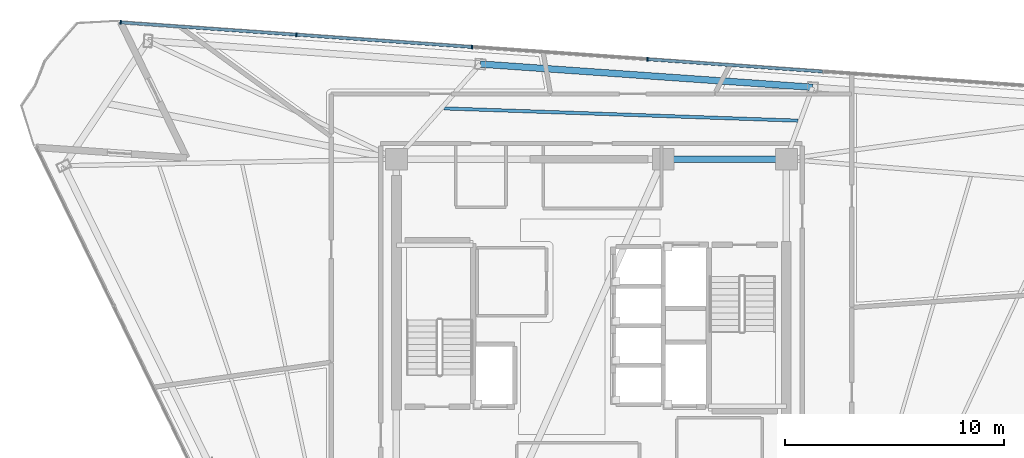
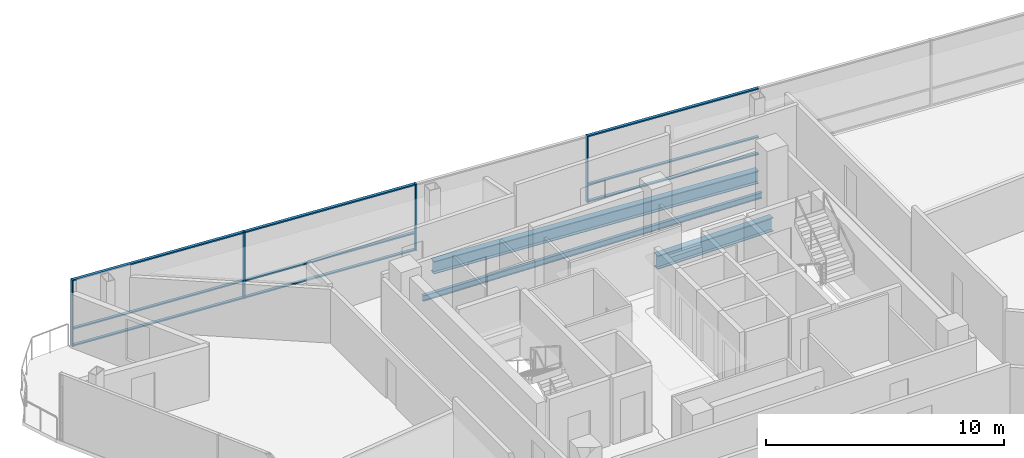
# One storey, part 6 of 14: 13 members, 3 beams, 1 element without a shape of its own.
"""IFC4 building model written with IfcOpenShell, lengths in metres."""

from ifc_helpers import new_model, si_unit, direction, frame, origin, origin_2d, place, context, subcontext, project, spatial, rectangle, i_section, extrude, material, layer, layer_set, material_profile, profile_set, type_object, element, aggregate, save


model = new_model("IFC4")

# Units and contexts
model_context = context("Model", 3, precision=1e-05, world=origin(), true_north=direction((0.0, 1.0)))
body_context = subcontext(model_context, "Body", "Model", "MODEL_VIEW")
ifc_project = project(units=[si_unit("LENGTHUNIT", "METRE"), si_unit("AREAUNIT", "SQUARE_METRE"), si_unit("VOLUMEUNIT", "CUBIC_METRE"), si_unit("PLANEANGLEUNIT", "RADIAN"), si_unit("MASSUNIT", "GRAM", prefix="KILO")], contexts=[model_context])

# Site, building, storey
site_placement = place(None, origin())
site = spatial("IfcSite", under=ifc_project, at=site_placement, CompositionType="ELEMENT")
building_placement = place(site_placement, origin())
building = spatial("IfcBuilding", under=site, at=building_placement, Name="Tharavind Bronze Gate", CompositionType="ELEMENT")
storey_placement = place(building_placement, frame((0.0, 0.0, 245.050048828125)))
storey = spatial("IfcBuildingStorey", under=building, at=storey_placement, Name="L63", CompositionType="ELEMENT", Elevation=245.050048828125)

# Curtain wall, members
ifc_material_1 = material(Name="Anodised Bronze Aluminium", Category="aluminium")
ifc_layer = layer(ifc_material_1, 0.219970703125)
ifc_layer_set = layer_set([ifc_layer], Name="Anodised Bronze Aluminium")
curtain_wall_type = type_object("IfcCurtainWallType", Name="UNITISED CURTAIN WALL UPPER OFFICE", PredefinedType="USERDEFINED", material=ifc_layer_set)
curtain_wall_placement = place(storey_placement, origin())
curtain_wall = element("IfcCurtainWall", 1, at=curtain_wall_placement, inside=storey, type_object=curtain_wall_type, Name="L63 unitised curtain wall upper office CW-L63-S3", ObjectType="UNITISED CURTAIN WALL", PredefinedType="USERDEFINED")
member_type_1 = type_object("IfcMemberType", Name="CURTAIN WALL BRONZE MULLION 65X180", PredefinedType="MULLION", material=ifc_material_1)
member_1_placement = place(storey_placement, frame((2.5654296875, 12.162353515625, 0.0), z_axis=(0.0, 0.0, 1.0), x_axis=(-0.99756392851, 0.069758214822, 0.0)))
member_1 = element("IfcMember", 2, at=member_1_placement, type_object=member_type_1, Name="CW-L63-S3 mullion 4", PredefinedType="MULLION", context=body_context, shape_type="SweptSolid", body=[
    extrude(rectangle(XDim=0.06494140625, YDim=0.179931640625, at=origin_2d()), origin(), (0.0, 0.0, 1.0), 3.419921875),
])
member_2_placement = place(storey_placement, frame((-5.452880859375, 12.72314453125, 0.0), z_axis=(0.0, 0.0, 1.0), x_axis=(-0.99756392851, 0.069758214822, 0.0)))
member_2 = element("IfcMember", 3, at=member_2_placement, type_object=member_type_1, Name="CW-L63-S3 mullion 5", PredefinedType="MULLION", context=body_context, shape_type="SweptSolid", body=[
    extrude(rectangle(XDim=0.06494140625, YDim=0.179931640625, at=origin_2d()), origin(), (0.0, 0.0, 1.0), 3.419921875),
])
member_3_placement = place(storey_placement, frame((-13.471435546875, 13.28369140625, 0.0), z_axis=(0.0, 0.0, 1.0), x_axis=(-0.99756392851, 0.069758214822, 0.0)))
member_3 = element("IfcMember", 4, at=member_3_placement, type_object=member_type_1, Name="CW-L63-S3 mullion 6", PredefinedType="MULLION", context=body_context, shape_type="SweptSolid", body=[
    extrude(rectangle(XDim=0.06494140625, YDim=0.179931640625, at=origin_2d()), origin(), (0.0, 0.0, 1.0), 3.419921875),
])
member_4_placement = place(storey_placement, frame((-21.489990234375, 13.844482421875, 0.0), z_axis=(0.0, 0.0, 1.0), x_axis=(-0.99756392851, 0.069758214822, 0.0)))
member_4 = element("IfcMember", 5, at=member_4_placement, type_object=member_type_1, Name="CW-L63-S3 mullion 7", PredefinedType="MULLION", context=body_context, shape_type="SweptSolid", body=[
    extrude(rectangle(XDim=0.06494140625, YDim=0.179931640625, at=origin_2d()), origin(), (0.0, 0.0, 1.0), 3.419921875),
])
member_type_2 = type_object("IfcMemberType", Name="CURTAIN WALL BRONZE TRANSOM 65X140", PredefinedType="USERDEFINED", material=ifc_material_1)
member_5_placement = place(storey_placement, frame((6.57470703125, 11.882080078125, 0.0), z_axis=(0.0, 0.0, 1.0), x_axis=(-0.99756392851, 0.069758214822, 0.0)))
member_5 = element("IfcMember", 6, at=member_5_placement, type_object=member_type_2, Name="CW-L63-S3 transom TB3", ObjectType="TRANSOM", PredefinedType="USERDEFINED", context=body_context, shape_type="SweptSolid", body=[
    extrude(rectangle(XDim=7.985107421875, YDim=0.139892578125, at=origin_2d()), origin(), (0.0, 0.0, 1.0), 0.06494140625),
])
member_6_placement = place(storey_placement, frame((6.57470703125, 11.882080078125, 0.867431640625), z_axis=(0.0, 0.0, 1.0), x_axis=(-0.99756392851, 0.069758214822, 0.0)))
member_6 = element("IfcMember", 7, at=member_6_placement, type_object=member_type_2, Name="CW-L63-S3 transom TS3", ObjectType="TRANSOM", PredefinedType="USERDEFINED", context=body_context, shape_type="SweptSolid", body=[
    extrude(rectangle(XDim=7.985107421875, YDim=0.139892578125, at=origin_2d()), origin(), (0.0, 0.0, 1.0), 0.06494140625),
])
member_7_placement = place(storey_placement, frame((6.57470703125, 11.882080078125, 3.35498046875), z_axis=(0.0, 0.0, 1.0), x_axis=(-0.99756392851, 0.069758214822, 0.0)))
member_7 = element("IfcMember", 8, at=member_7_placement, type_object=member_type_2, Name="CW-L63-S3 transom TT3", ObjectType="TRANSOM", PredefinedType="USERDEFINED", context=body_context, shape_type="SweptSolid", body=[
    extrude(rectangle(XDim=7.985107421875, YDim=0.139892578125, at=origin_2d()), origin(), (0.0, 0.0, 1.0), 0.06494140625),
])
member_8_placement = place(storey_placement, frame((-9.462158203125, 13.00341796875, 0.0), z_axis=(0.0, 0.0, 1.0), x_axis=(-0.99756392851, 0.069758214822, 0.0)))
member_8 = element("IfcMember", 9, at=member_8_placement, type_object=member_type_2, Name="CW-L63-S3 transom TB5", ObjectType="TRANSOM", PredefinedType="USERDEFINED", context=body_context, shape_type="SweptSolid", body=[
    extrude(rectangle(XDim=7.985107421875, YDim=0.139892578125, at=origin_2d()), origin(), (0.0, 0.0, 1.0), 0.06494140625),
])
member_9_placement = place(storey_placement, frame((-9.462158203125, 13.00341796875, 0.867431640625), z_axis=(0.0, 0.0, 1.0), x_axis=(-0.99756392851, 0.069758214822, 0.0)))
member_9 = element("IfcMember", 10, at=member_9_placement, type_object=member_type_2, Name="CW-L63-S3 transom TS5", ObjectType="TRANSOM", PredefinedType="USERDEFINED", context=body_context, shape_type="SweptSolid", body=[
    extrude(rectangle(XDim=7.985107421875, YDim=0.139892578125, at=origin_2d()), origin(), (0.0, 0.0, 1.0), 0.06494140625),
])
member_10_placement = place(storey_placement, frame((-9.462158203125, 13.00341796875, 3.35498046875), z_axis=(0.0, 0.0, 1.0), x_axis=(-0.99756392851, 0.069758214822, 0.0)))
member_10 = element("IfcMember", 11, at=member_10_placement, type_object=member_type_2, Name="CW-L63-S3 transom TT5", ObjectType="TRANSOM", PredefinedType="USERDEFINED", context=body_context, shape_type="SweptSolid", body=[
    extrude(rectangle(XDim=7.985107421875, YDim=0.139892578125, at=origin_2d()), origin(), (0.0, 0.0, 1.0), 0.06494140625),
])
member_11_placement = place(storey_placement, frame((-17.480712890625, 13.564208984375, 0.0), z_axis=(0.0, 0.0, 1.0), x_axis=(-0.99756392851, 0.069758214822, 0.0)))
member_11 = element("IfcMember", 12, at=member_11_placement, type_object=member_type_2, Name="CW-L63-S3 transom TB6", ObjectType="TRANSOM", PredefinedType="USERDEFINED", context=body_context, shape_type="SweptSolid", body=[
    extrude(rectangle(XDim=7.985107421875, YDim=0.139892578125, at=origin_2d()), origin(), (0.0, 0.0, 1.0), 0.06494140625),
])
member_12_placement = place(storey_placement, frame((-17.480712890625, 13.564208984375, 0.867431640625), z_axis=(0.0, 0.0, 1.0), x_axis=(-0.99756392851, 0.069758214822, 0.0)))
member_12 = element("IfcMember", 13, at=member_12_placement, type_object=member_type_2, Name="CW-L63-S3 transom TS6", ObjectType="TRANSOM", PredefinedType="USERDEFINED", context=body_context, shape_type="SweptSolid", body=[
    extrude(rectangle(XDim=7.985107421875, YDim=0.139892578125, at=origin_2d()), origin(), (0.0, 0.0, 1.0), 0.06494140625),
])
member_13_placement = place(storey_placement, frame((-17.480712890625, 13.564208984375, 3.35498046875), z_axis=(0.0, 0.0, 1.0), x_axis=(-0.99756392851, 0.069758214822, 0.0)))
member_13 = element("IfcMember", 14, at=member_13_placement, type_object=member_type_2, Name="CW-L63-S3 transom TT6", ObjectType="TRANSOM", PredefinedType="USERDEFINED", context=body_context, shape_type="SweptSolid", body=[
    extrude(rectangle(XDim=7.985107421875, YDim=0.139892578125, at=origin_2d()), origin(), (0.0, 0.0, 1.0), 0.06494140625),
])
aggregate(curtain_wall, [member_1, member_2, member_3, member_4, member_5, member_6, member_7, member_8, member_9, member_10, member_11, member_12, member_13])

# Beams
ifc_material_2 = material(Name="Steel S355", Category="steel")
ifc_material_profile_1 = material_profile(ifc_material_2, i_section(OverallWidth=0.300048828125, OverallDepth=0.64990234375, WebThickness=0.01611328125, FlangeThickness=0.031005859375, at=origin_2d()), Name="HE650B")
ifc_profile_set_1 = profile_set([ifc_material_profile_1], Name="Steel S355")
beam_type_1 = type_object("IfcBeamType", Name="PRIMARY GIRDER HE650B", PredefinedType="USERDEFINED", material=ifc_profile_set_1)
beam_1_placement = place(storey_placement, frame((10.099609375, 10.8837890625, -0.505126953125), z_axis=(-0.997564956602, 0.069743511238, 0.0), x_axis=(-0.069743511238, -0.997564956602, 0.0)))
element("IfcBeam", 15, at=beam_1_placement, inside=storey, type_object=beam_type_1, Name="L63 primary girder he650b BM-L63-PRG10", ObjectType="GIRDER", PredefinedType="USERDEFINED", context=body_context, shape_type="SweptSolid", body=[
    extrude(i_section(OverallWidth=0.300048828125, OverallDepth=0.64990234375, WebThickness=0.01611328125, FlangeThickness=0.031005859375, at=origin_2d()), origin(), (0.0, 0.0, 1.0), 15.2099609375),
])
ifc_material_profile_2 = material_profile(ifc_material_2, i_section(OverallWidth=0.300048828125, OverallDepth=0.699951171875, WebThickness=0.01708984375, FlangeThickness=0.031982421875, at=origin_2d()), Name="HE700B")
ifc_profile_set_2 = profile_set([ifc_material_profile_2], Name="Steel S355")
beam_type_2 = type_object("IfcBeamType", Name="RING GIRDER HE700B", PredefinedType="USERDEFINED", material=ifc_profile_set_2)
beam_2_placement = place(storey_placement, frame((8.89990234375, 7.60009765625, -0.530029296875), z_axis=(-1.0, 0.0, 0.0), x_axis=(0.0, -1.0, 0.0)))
element("IfcBeam", 16, at=beam_2_placement, inside=storey, type_object=beam_type_2, Name="L63 ring girder he700b BM-L63-CR4", ObjectType="GIRDER", PredefinedType="USERDEFINED", context=body_context, shape_type="SweptSolid", body=[
    extrude(i_section(OverallWidth=0.300048828125, OverallDepth=0.699951171875, WebThickness=0.01708984375, FlangeThickness=0.031982421875, at=origin_2d()), origin(), (0.0, 0.0, 1.0), 5.619873046875),
])
ifc_material_profile_3 = material_profile(ifc_material_2, i_section(OverallWidth=0.14990234375, OverallDepth=0.300048828125, WebThickness=0.007080078125, FlangeThickness=0.0107421875, at=origin_2d()), Name="IPE300")
ifc_profile_set_3 = profile_set([ifc_material_profile_3], Name="Steel S355")
beam_type_3 = type_object("IfcBeamType", Name="SECONDARY FLOOR JOIST IPE300", PredefinedType="JOIST", material=ifc_profile_set_3)
beam_3_placement = place(storey_placement, frame((9.4326171875, 9.360595703125, -0.330078125), z_axis=(-0.999400965348, 0.034607953742, 0.0), x_axis=(-0.034607953742, -0.999400965348, 0.0)))
element("IfcBeam", 17, at=beam_3_placement, inside=storey, type_object=beam_type_3, Name="L63 secondary floor joist ipe300 BM-L63-JSTA10", PredefinedType="JOIST", context=body_context, shape_type="SweptSolid", body=[
    extrude(i_section(OverallWidth=0.14990234375, OverallDepth=0.300048828125, WebThickness=0.007080078125, FlangeThickness=0.0107421875, at=origin_2d()), origin(), (0.0, 0.0, 1.0), 16.161865234375),
])

save(model, "model.ifc")
